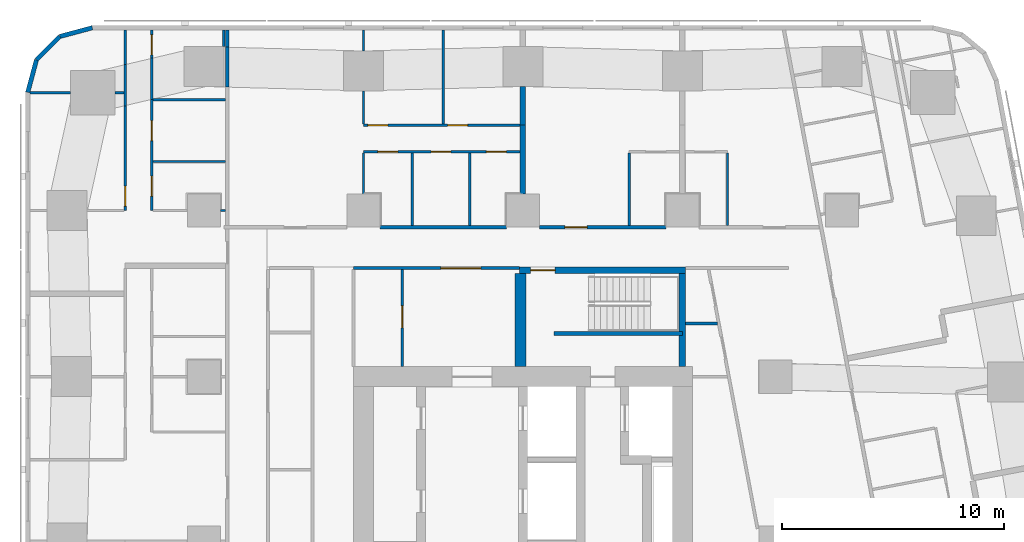
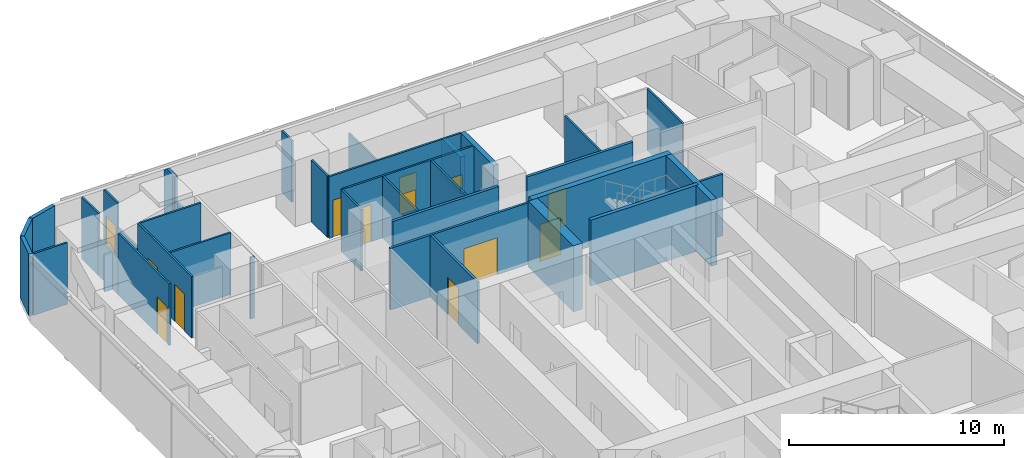
# One storey, part 9 of 15: 38 walls, 13 doors, 13 openings.
"""IFC4 building model written with IfcOpenShell, lengths in metres."""

from ifc_helpers import new_model, si_unit, direction, frame, frame_2d, origin, place, context, subcontext, project, spatial, rectangle, extrude, material, layer, layer_set, type_object, element, fill, save


model = new_model("IFC4")

# Units and contexts
model_context = context("Model", 3, precision=1e-05, world=origin(), true_north=direction((0.0, 1.0)))
body_context = subcontext(model_context, "Body", "Model", "MODEL_VIEW")
ifc_project = project(units=[si_unit("LENGTHUNIT", "METRE"), si_unit("AREAUNIT", "SQUARE_METRE"), si_unit("VOLUMEUNIT", "CUBIC_METRE"), si_unit("PLANEANGLEUNIT", "RADIAN"), si_unit("MASSUNIT", "GRAM", prefix="KILO")], contexts=[model_context])

# Site, building, storey
site_placement = place(None, origin())
site = spatial("IfcSite", under=ifc_project, at=site_placement, CompositionType="ELEMENT")
building_placement = place(site_placement, origin())
building = spatial("IfcBuilding", under=site, at=building_placement, Name="Sheger Commons Tower", CompositionType="ELEMENT")
storey_placement = place(building_placement, frame((0.0, 0.0, 173.300048828125)))
storey = spatial("IfcBuildingStorey", under=building, at=storey_placement, Name="L44", CompositionType="ELEMENT", Elevation=173.300048828125)

# Walls
ifc_material_1 = material(Name="Hollow concrete block masonry, skimmed both sides", Category="masonry")
ifc_layer_1 = layer(ifc_material_1, 0.14990234375)
ifc_layer_set_1 = layer_set([ifc_layer_1], Name="CORRIDOR WALL 150")
wall_type_1 = type_object("IfcWallType", Name="CORRIDOR WALL 150", PredefinedType="SOLIDWALL", material=ifc_layer_set_1)
wall_1_placement = place(storey_placement, frame((8.25, 43.068115234375, 0.0), z_axis=(0.0, 0.0, 1.0), x_axis=(0.0, 1.0, 0.0)))
element("IfcWall", 1, at=wall_1_placement, inside=storey, type_object=wall_type_1, Name="Corridor wall L44", PredefinedType="SOLIDWALL", context=body_context, shape_type="SweptSolid", body=[
    extrude(rectangle(XDim=1.804931640625, YDim=0.14990234375, at=frame_2d((0.90234375, 0.0))), origin(), (0.0, 0.0, 1.0), 2.099853515625),
])
wall_2_placement = place(storey_placement, frame((8.25, 44.873046875, 0.0), z_axis=(0.0, 0.0, 1.0), x_axis=(0.0, 1.0, 0.0)))
element("IfcWall", 2, at=wall_2_placement, inside=storey, type_object=wall_type_1, Name="Corridor wall L44", PredefinedType="SOLIDWALL", context=body_context, shape_type="SweptSolid", body=[
    extrude(rectangle(XDim=0.77685546875, YDim=0.14990234375, at=frame_2d((0.388427734375, 0.0))), origin(), (0.0, 0.0, 1.0), 3.5),
])
wall_3_placement = place(storey_placement, frame((15.15087890625, 36.75, 0.0), z_axis=(0.0, 0.0, 1.0), x_axis=(1.0, 0.0, 0.0)))
element("IfcWall", 3, at=wall_3_placement, inside=storey, type_object=wall_type_1, Name="Corridor wall L44", PredefinedType="SOLIDWALL", context=body_context, shape_type="SweptSolid", body=[
    extrude(rectangle(XDim=5.6982421875, YDim=0.14990234375, at=frame_2d((2.84912109375, 0.0))), origin(), (0.0, 0.0, 1.0), 3.5),
])

# Wall, opening, door
wall_4_placement = place(storey_placement, frame((22.35107421875, 36.75, 0.0), z_axis=(0.0, 0.0, 1.0), x_axis=(1.0, 0.0, 0.0)))
wall_4 = element("IfcWall", 4, at=wall_4_placement, inside=storey, type_object=wall_type_1, Name="Corridor wall L44", PredefinedType="SOLIDWALL", context=body_context, shape_type="SweptSolid", body=[
    extrude(rectangle(XDim=5.697998046875, YDim=0.14990234375, at=frame_2d((2.84912109375, 0.0))), origin(), (0.0, 0.0, 1.0), 3.5),
])
opening_1_placement = place(wall_4_placement, frame((1.14892578125, 0.0, 0.0)))
opening_1 = element("IfcOpeningElement", 5, at=opening_1_placement, cuts=wall_4, Name="Opening D1", PredefinedType="OPENING", context=body_context, shape_type="SweptSolid", body=[
    extrude(rectangle(XDim=1.0, YDim=2.10009765625, at=frame_2d((0.5, 1.050048828125))), frame((0.0, 0.0849609375, 0.0), z_axis=(0.0, -1.0, 0.0), x_axis=(1.0, 0.0, 0.0)), (0.0, 0.0, 1.0), 0.169921875),
])
ifc_material_2 = material(Name="Steel door set, fire rated", Category="steel")
door_type_1 = type_object("IfcDoorType", Name="FLAT ENTRANCE DOOR 1000x2100", OperationType="NOTDEFINED", PredefinedType="DOOR", material=ifc_material_2)
door_1_placement = place(opening_1_placement, origin())
door_1 = element("IfcDoor", 6, at=door_1_placement, inside=storey, type_object=door_type_1, Name="Flat entrance door", OperationType="SINGLE_SWING_LEFT", OverallHeight=2.10009765625, OverallWidth=1.0, PredefinedType="DOOR", context=body_context, shape_type="SweptSolid", body=[
    extrude(rectangle(XDim=1.0, YDim=2.10009765625, at=frame_2d((0.5, 1.050048828125))), frame((0.0, 0.02490234375, 0.0), z_axis=(0.0, -1.0, 0.0), x_axis=(1.0, 0.0, 0.0)), (0.0, 0.0, 1.0), 0.050048828125),
])
fill(opening_1, door_1)

# Walls
ifc_material_3 = material(Name="Dense concrete block masonry, plastered both sides (separating wall between flats)", Category="masonry")
ifc_layer_2 = layer(ifc_material_3, 0.25)
ifc_layer_set_2 = layer_set([ifc_layer_2], Name="DEMISING WALL 250")
wall_type_2 = type_object("IfcWallType", Name="DEMISING WALL 250", PredefinedType="SOLIDWALL", material=ifc_layer_set_2)
wall_5_placement = place(storey_placement, frame((21.60009765625, 41.35009765625, 0.0), z_axis=(0.0, 0.0, 1.0), x_axis=(0.0, 1.0, 0.0)))
element("IfcWall", 7, at=wall_5_placement, inside=storey, type_object=wall_type_2, Name="Demising wall L44", PredefinedType="SOLIDWALL", context=body_context, shape_type="SweptSolid", body=[
    extrude(rectangle(XDim=1.7490234375, YDim=0.25, at=frame_2d((0.87451171875, 0.0))), origin(), (0.0, 0.0, 1.0), 2.099853515625),
])
wall_6_placement = place(storey_placement, frame((21.60009765625, 38.2509765625, 0.0), z_axis=(0.0, 0.0, 1.0), x_axis=(0.0, 1.0, 0.0)))
element("IfcWall", 8, at=wall_6_placement, inside=storey, type_object=wall_type_2, Name="Demising wall L44", PredefinedType="SOLIDWALL", context=body_context, shape_type="SweptSolid", body=[
    extrude(rectangle(XDim=3.09912109375, YDim=0.25, at=frame_2d((1.549560546875, 0.0))), origin(), (0.0, 0.0, 1.0), 3.5),
])
ifc_material_4 = material(Name="Rendered concrete block masonry, dark grey", Category="masonry")
ifc_layer_3 = layer(ifc_material_4, 0.199951171875)
ifc_layer_set_3 = layer_set([ifc_layer_3], Name="FACADE WALL 200")
wall_type_3 = type_object("IfcWallType", Name="FACADE WALL 200", PredefinedType="SOLIDWALL", material=ifc_layer_set_3)
wall_7_placement = place(storey_placement, frame((2.1630859375, 45.75, 0.0), z_axis=(0.0, 0.0, 1.0), x_axis=(-0.965832000415, -0.259168954497, 0.0)))
element("IfcWall", 9, at=wall_7_placement, inside=storey, type_object=wall_type_3, Name="Facade wall L44", PredefinedType="SOLIDWALL", context=body_context, shape_type="SweptSolid", body=[
    extrude(rectangle(XDim=1.512939453125, YDim=0.199951171875, at=frame_2d((0.75634765625, 0.0))), origin(), (0.0, 0.0, 1.0), 3.5),
])
wall_8_placement = place(storey_placement, frame((0.701904296875, 45.35791015625, 0.0), z_axis=(0.0, 0.0, 1.0), x_axis=(-0.707106781187, -0.707106781187, 0.0)))
element("IfcWall", 10, at=wall_8_placement, inside=storey, type_object=wall_type_3, Name="Facade wall L44", PredefinedType="SOLIDWALL", context=body_context, shape_type="SweptSolid", body=[
    extrude(rectangle(XDim=1.498779296875, YDim=0.199951171875, at=frame_2d((0.74951171875, 0.0))), origin(), (0.0, 0.0, 1.0), 3.5),
])
wall_9_placement = place(storey_placement, frame((-0.35791015625, 44.298095703125, 0.0), z_axis=(0.0, 0.0, 1.0), x_axis=(-0.259168954497, -0.965832000415, 0.0)))
element("IfcWall", 11, at=wall_9_placement, inside=storey, type_object=wall_type_3, Name="Facade wall L44", PredefinedType="SOLIDWALL", context=body_context, shape_type="SweptSolid", body=[
    extrude(rectangle(XDim=1.512939453125, YDim=0.199951171875, at=frame_2d((0.75634765625, 0.0))), origin(), (0.0, 0.0, 1.0), 3.5),
])
ifc_material_5 = material(Name="Gypsum board on steel studs", Category="steel")
ifc_layer_4 = layer(ifc_material_5, 0.10009765625)
ifc_layer_set_4 = layer_set([ifc_layer_4], Name="PARTITION 100")
wall_type_4 = type_object("IfcWallType", Name="PARTITION 100", PredefinedType="PARTITIONING", material=ifc_layer_set_4)
wall_10_placement = place(storey_placement, frame((8.10009765625, 45.64990234375, 0.0), z_axis=(0.0, 0.0, 1.0), x_axis=(0.0, -1.0, 0.0)))
element("IfcWall", 12, at=wall_10_placement, inside=storey, type_object=wall_type_4, Name="Partition L44", PredefinedType="PARTITIONING", context=body_context, shape_type="SweptSolid", body=[
    extrude(rectangle(XDim=0.7490234375, YDim=0.10009765625, at=frame_2d((0.37451171875, 0.0))), origin(), (0.0, 0.0, 1.0), 3.5),
])

# Wall, opening, door
wall_11_placement = place(storey_placement, frame((3.64990234375, 37.5, 0.0), z_axis=(0.0, 0.0, 1.0), x_axis=(0.0, 1.0, 0.0)))
wall_11 = element("IfcWall", 13, at=wall_11_placement, inside=storey, type_object=wall_type_4, Name="Partition L44", PredefinedType="PARTITIONING", context=body_context, shape_type="SweptSolid", body=[
    extrude(rectangle(XDim=4.72412109375, YDim=0.10009765625, at=frame_2d((2.362060546875, 0.0))), origin(), (0.0, 0.0, 1.0), 3.5),
])
opening_2_placement = place(wall_11_placement, frame((0.199951171875, 0.0, 0.0)))
opening_2 = element("IfcOpeningElement", 14, at=opening_2_placement, cuts=wall_11, Name="Opening D2", PredefinedType="OPENING", context=body_context, shape_type="SweptSolid", body=[
    extrude(rectangle(XDim=0.89990234375, YDim=2.10009765625, at=frame_2d((0.449951171875, 1.050048828125))), frame((0.0, 0.06005859375, 0.0), z_axis=(0.0, -1.0, 0.0), x_axis=(1.0, 0.0, 0.0)), (0.0, 0.0, 1.0), 0.1201171875),
])
ifc_material_6 = material(Name="Timber door set", Category="wood")
door_type_2 = type_object("IfcDoorType", Name="INTERNAL DOOR 900x2100", OperationType="NOTDEFINED", PredefinedType="DOOR", material=ifc_material_6)
door_2_placement = place(opening_2_placement, origin())
door_2 = element("IfcDoor", 15, at=door_2_placement, inside=storey, type_object=door_type_2, Name="Main bedroom door", OperationType="SINGLE_SWING_LEFT", OverallHeight=2.10009765625, OverallWidth=0.89990234375, PredefinedType="DOOR", context=body_context, shape_type="SweptSolid", body=[
    extrude(rectangle(XDim=0.89990234375, YDim=2.10009765625, at=frame_2d((0.449951171875, 1.050048828125))), frame((0.0, 0.02490234375, 0.0), z_axis=(0.0, -1.0, 0.0), x_axis=(1.0, 0.0, 0.0)), (0.0, 0.0, 1.0), 0.050048828125),
])
fill(opening_2, door_2)

# Walls
wall_12_placement = place(storey_placement, frame((3.64990234375, 42.22412109375, 0.0), z_axis=(0.0, 0.0, 1.0), x_axis=(0.0, 1.0, 0.0)))
element("IfcWall", 16, at=wall_12_placement, inside=storey, type_object=wall_type_4, Name="Partition L44", PredefinedType="PARTITIONING", context=body_context, shape_type="SweptSolid", body=[
    extrude(rectangle(XDim=1.872802734375, YDim=0.10009765625, at=frame_2d((0.9365234375, 0.0))), origin(), (0.0, 0.0, 1.0), 2.099853515625),
])
wall_13_placement = place(storey_placement, frame((3.64990234375, 44.096923828125, 0.0), z_axis=(0.0, 0.0, 1.0), x_axis=(0.0, 1.0, 0.0)))
element("IfcWall", 17, at=wall_13_placement, inside=storey, type_object=wall_type_4, Name="Partition L44", PredefinedType="PARTITIONING", context=body_context, shape_type="SweptSolid", body=[
    extrude(rectangle(XDim=1.552978515625, YDim=0.10009765625, at=frame_2d((0.7763671875, 0.0))), origin(), (0.0, 0.0, 1.0), 3.5),
])

# Wall, openings, doors
wall_14_placement = place(storey_placement, frame((4.85009765625, 37.5, 0.0), z_axis=(0.0, 0.0, 1.0), x_axis=(0.0, 1.0, 0.0)))
wall_14 = element("IfcWall", 18, at=wall_14_placement, inside=storey, type_object=wall_type_4, Name="Partition L44", PredefinedType="PARTITIONING", context=body_context, shape_type="SweptSolid", body=[
    extrude(rectangle(XDim=5.007080078125, YDim=0.10009765625, at=frame_2d((2.50341796875, 0.0))), origin(), (0.0, 0.0, 1.0), 3.5),
])
opening_3_placement = place(wall_14_placement, frame((0.655029296875, 0.0, 0.0)))
opening_3 = element("IfcOpeningElement", 19, at=opening_3_placement, cuts=wall_14, Name="Opening D2", PredefinedType="OPENING", context=body_context, shape_type="SweptSolid", body=[
    extrude(rectangle(XDim=0.89990234375, YDim=2.10009765625, at=frame_2d((0.449951171875, 1.050048828125))), frame((0.0, 0.06005859375, 0.0), z_axis=(0.0, -1.0, 0.0), x_axis=(1.0, 0.0, 0.0)), (0.0, 0.0, 1.0), 0.1201171875),
])
opening_4_placement = place(wall_14_placement, frame((3.155029296875, 0.0, 0.0)))
opening_4 = element("IfcOpeningElement", 20, at=opening_4_placement, cuts=wall_14, Name="Opening D2", PredefinedType="OPENING", context=body_context, shape_type="SweptSolid", body=[
    extrude(rectangle(XDim=0.89990234375, YDim=2.10009765625, at=frame_2d((0.449951171875, 1.050048828125))), frame((0.0, 0.06005859375, 0.0), z_axis=(0.0, -1.0, 0.0), x_axis=(1.0, 0.0, 0.0)), (0.0, 0.0, 1.0), 0.1201171875),
])
door_3_placement = place(opening_3_placement, origin())
door_3 = element("IfcDoor", 21, at=door_3_placement, inside=storey, type_object=door_type_2, Name="Bathroom door", OperationType="SINGLE_SWING_RIGHT", OverallHeight=2.10009765625, OverallWidth=0.89990234375, PredefinedType="DOOR", context=body_context, shape_type="SweptSolid", body=[
    extrude(rectangle(XDim=0.89990234375, YDim=2.10009765625, at=frame_2d((0.449951171875, 1.050048828125))), frame((0.0, 0.02490234375, 0.0), z_axis=(0.0, -1.0, 0.0), x_axis=(1.0, 0.0, 0.0)), (0.0, 0.0, 1.0), 0.050048828125),
])
fill(opening_3, door_3)
door_4_placement = place(opening_4_placement, origin())
door_4 = element("IfcDoor", 22, at=door_4_placement, inside=storey, type_object=door_type_2, Name="Store door", OperationType="SINGLE_SWING_LEFT", OverallHeight=2.10009765625, OverallWidth=0.89990234375, PredefinedType="DOOR", context=body_context, shape_type="SweptSolid", body=[
    extrude(rectangle(XDim=0.89990234375, YDim=2.10009765625, at=frame_2d((0.449951171875, 1.050048828125))), frame((0.0, 0.02490234375, 0.0), z_axis=(0.0, -1.0, 0.0), x_axis=(1.0, 0.0, 0.0)), (0.0, 0.0, 1.0), 0.050048828125),
])
fill(opening_4, door_4)

# Wall
wall_15_placement = place(storey_placement, frame((4.85009765625, 42.507080078125, 0.0), z_axis=(0.0, 0.0, 1.0), x_axis=(0.0, 1.0, 0.0)))
element("IfcWall", 23, at=wall_15_placement, inside=storey, type_object=wall_type_4, Name="Partition L44", PredefinedType="PARTITIONING", context=body_context, shape_type="SweptSolid", body=[
    extrude(rectangle(XDim=1.8740234375, YDim=0.10009765625, at=frame_2d((0.93701171875, 0.0))), origin(), (0.0, 0.0, 1.0), 2.099853515625),
])

# Wall, opening, door
wall_16_placement = place(storey_placement, frame((4.85009765625, 44.381103515625, 0.0), z_axis=(0.0, 0.0, 1.0), x_axis=(0.0, 1.0, 0.0)))
wall_16 = element("IfcWall", 24, at=wall_16_placement, inside=storey, type_object=wall_type_4, Name="Partition L44", PredefinedType="PARTITIONING", context=body_context, shape_type="SweptSolid", body=[
    extrude(rectangle(XDim=1.268798828125, YDim=0.10009765625, at=frame_2d((0.63427734375, 0.0))), origin(), (0.0, 0.0, 1.0), 3.5),
])
opening_5_placement = place(wall_16_placement, frame((0.14990234375, 0.0, 0.0)))
opening_5 = element("IfcOpeningElement", 25, at=opening_5_placement, cuts=wall_16, Name="Opening D2", PredefinedType="OPENING", context=body_context, shape_type="SweptSolid", body=[
    extrude(rectangle(XDim=0.89990234375, YDim=2.10009765625, at=frame_2d((0.449951171875, 1.050048828125))), frame((0.0, 0.06005859375, 0.0), z_axis=(0.0, -1.0, 0.0), x_axis=(1.0, 0.0, 0.0)), (0.0, 0.0, 1.0), 0.1201171875),
])
door_5_placement = place(opening_5_placement, origin())
door_5 = element("IfcDoor", 26, at=door_5_placement, inside=storey, type_object=door_type_2, Name="Laundry room door", OperationType="SINGLE_SWING_RIGHT", OverallHeight=2.10009765625, OverallWidth=0.89990234375, PredefinedType="DOOR", context=body_context, shape_type="SweptSolid", body=[
    extrude(rectangle(XDim=0.89990234375, YDim=2.10009765625, at=frame_2d((0.449951171875, 1.050048828125))), frame((0.0, 0.02490234375, 0.0), z_axis=(0.0, -1.0, 0.0), x_axis=(1.0, 0.0, 0.0)), (0.0, 0.0, 1.0), 0.050048828125),
])
fill(opening_5, door_5)

# Walls
wall_17_placement = place(storey_placement, frame((-0.64990234375, 42.81396484375, 0.0), z_axis=(0.0, 0.0, 1.0), x_axis=(1.0, 0.0, 0.0)))
element("IfcWall", 27, at=wall_17_placement, inside=storey, type_object=wall_type_4, Name="Partition L44", PredefinedType="PARTITIONING", context=body_context, shape_type="SweptSolid", body=[
    extrude(rectangle(XDim=1.8349609375, YDim=0.10009765625, at=frame_2d((0.91748046875, 0.0))), origin(), (0.0, 0.0, 1.0), 3.5),
])
wall_18_placement = place(storey_placement, frame((3.18701171875, 42.81396484375, 0.0), z_axis=(0.0, 0.0, 1.0), x_axis=(1.0, 0.0, 0.0)))
element("IfcWall", 28, at=wall_18_placement, inside=storey, type_object=wall_type_4, Name="Partition L44", PredefinedType="PARTITIONING", context=body_context, shape_type="SweptSolid", body=[
    extrude(rectangle(XDim=0.4130859375, YDim=0.10009765625, at=frame_2d((0.20654296875, 0.0))), origin(), (0.0, 0.0, 1.0), 2.099853515625),
])
wall_19_placement = place(storey_placement, frame((7.950927734375, 37.5, 0.0), z_axis=(0.0, 0.0, 1.0), x_axis=(1.0, 0.0, 0.0)))
element("IfcWall", 29, at=wall_19_placement, inside=storey, type_object=wall_type_4, Name="Partition L44", PredefinedType="PARTITIONING", context=body_context, shape_type="SweptSolid", body=[
    extrude(rectangle(XDim=0.22412109375, YDim=0.10009765625, at=frame_2d((0.112060546875, 0.0))), origin(), (0.0, 0.0, 1.0), 3.5),
])
for number, where, z_axis, x_axis, name in (
    (30, (4.89990234375, 42.4990234375, 0.0), (0.0, 0.0, 1.0), (1.0, 0.0, 0.0), "Partition L44"),
    (31, (4.89990234375, 39.7099609375, 0.0), (0.0, 0.0, 1.0), (1.0, 0.0, 0.0), "Partition L44"),
):
    element("IfcWall", number, at=place(storey_placement, frame(where, z_axis=z_axis, x_axis=x_axis)), inside=storey, type_object=wall_type_4, Name=name, PredefinedType="PARTITIONING", context=body_context, shape_type="SweptSolid", body=[
        extrude(rectangle(XDim=3.275146484375, YDim=0.10009765625, at=frame_2d((1.6376953125, 0.0))), origin(), (0.0, 0.0, 1.0), 3.5),
    ])

# Wall, openings, doors
wall_20_placement = place(storey_placement, frame((14.39990234375, 41.35009765625, 0.0), z_axis=(0.0, 0.0, 1.0), x_axis=(1.0, 0.0, 0.0)))
wall_20 = element("IfcWall", 32, at=wall_20_placement, inside=storey, type_object=wall_type_4, Name="Partition L44", PredefinedType="PARTITIONING", context=body_context, shape_type="SweptSolid", body=[
    extrude(rectangle(XDim=7.0751953125, YDim=0.10009765625, at=frame_2d((3.53759765625, 0.0))), origin(), (0.0, 0.0, 1.0), 3.5),
])
opening_6_placement = place(wall_20_placement, frame((0.199951171875, 0.0, 0.0)))
opening_6 = element("IfcOpeningElement", 33, at=opening_6_placement, cuts=wall_20, Name="Opening D2", PredefinedType="OPENING", context=body_context, shape_type="SweptSolid", body=[
    extrude(rectangle(XDim=0.89990234375, YDim=2.10009765625, at=frame_2d((0.449951171875, 1.050048828125))), frame((0.0, 0.06005859375, 0.0), z_axis=(0.0, -1.0, 0.0), x_axis=(1.0, 0.0, 0.0)), (0.0, 0.0, 1.0), 0.1201171875),
])
opening_7_placement = place(wall_20_placement, frame((3.800048828125, 0.0, 0.0)))
opening_7 = element("IfcOpeningElement", 34, at=opening_7_placement, cuts=wall_20, Name="Opening D2", PredefinedType="OPENING", context=body_context, shape_type="SweptSolid", body=[
    extrude(rectangle(XDim=0.89990234375, YDim=2.10009765625, at=frame_2d((0.449951171875, 1.050048828125))), frame((0.0, 0.06005859375, 0.0), z_axis=(0.0, -1.0, 0.0), x_axis=(1.0, 0.0, 0.0)), (0.0, 0.0, 1.0), 0.1201171875),
])
door_6_placement = place(opening_6_placement, origin())
door_6 = element("IfcDoor", 35, at=door_6_placement, inside=storey, type_object=door_type_2, Name="Main bedroom door", OperationType="SINGLE_SWING_LEFT", OverallHeight=2.10009765625, OverallWidth=0.89990234375, PredefinedType="DOOR", context=body_context, shape_type="SweptSolid", body=[
    extrude(rectangle(XDim=0.89990234375, YDim=2.10009765625, at=frame_2d((0.449951171875, 1.050048828125))), frame((0.0, 0.02490234375, 0.0), z_axis=(0.0, -1.0, 0.0), x_axis=(1.0, 0.0, 0.0)), (0.0, 0.0, 1.0), 0.050048828125),
])
fill(opening_6, door_6)
door_7_placement = place(opening_7_placement, origin())
door_7 = element("IfcDoor", 36, at=door_7_placement, inside=storey, type_object=door_type_2, Name="Bedroom 2 door", OperationType="SINGLE_SWING_LEFT", OverallHeight=2.10009765625, OverallWidth=0.89990234375, PredefinedType="DOOR", context=body_context, shape_type="SweptSolid", body=[
    extrude(rectangle(XDim=0.89990234375, YDim=2.10009765625, at=frame_2d((0.449951171875, 1.050048828125))), frame((0.0, 0.02490234375, 0.0), z_axis=(0.0, -1.0, 0.0), x_axis=(1.0, 0.0, 0.0)), (0.0, 0.0, 1.0), 0.050048828125),
])
fill(opening_7, door_7)

wall_21_placement = place(storey_placement, frame((14.39990234375, 40.14990234375, 0.0), z_axis=(0.0, 0.0, 1.0), x_axis=(1.0, 0.0, 0.0)))
wall_21 = element("IfcWall", 37, at=wall_21_placement, inside=storey, type_object=wall_type_4, Name="Partition L44", PredefinedType="PARTITIONING", context=body_context, shape_type="SweptSolid", body=[
    extrude(rectangle(XDim=7.0751953125, YDim=0.10009765625, at=frame_2d((3.53759765625, 0.0))), origin(), (0.0, 0.0, 1.0), 3.5),
])
opening_8_placement = place(wall_21_placement, frame((0.655029296875, 0.0, 0.0)))
opening_8 = element("IfcOpeningElement", 38, at=opening_8_placement, cuts=wall_21, Name="Opening D2", PredefinedType="OPENING", context=body_context, shape_type="SweptSolid", body=[
    extrude(rectangle(XDim=0.89990234375, YDim=2.10009765625, at=frame_2d((0.449951171875, 1.050048828125))), frame((0.0, 0.06005859375, 0.0), z_axis=(0.0, -1.0, 0.0), x_axis=(1.0, 0.0, 0.0)), (0.0, 0.0, 1.0), 0.1201171875),
])
opening_9_placement = place(wall_21_placement, frame((5.550048828125, 0.0, 0.0)))
opening_9 = element("IfcOpeningElement", 39, at=opening_9_placement, cuts=wall_21, Name="Opening D2", PredefinedType="OPENING", context=body_context, shape_type="SweptSolid", body=[
    extrude(rectangle(XDim=0.89990234375, YDim=2.10009765625, at=frame_2d((0.449951171875, 1.050048828125))), frame((0.0, 0.06005859375, 0.0), z_axis=(0.0, -1.0, 0.0), x_axis=(1.0, 0.0, 0.0)), (0.0, 0.0, 1.0), 0.1201171875),
])
opening_10_placement = place(wall_21_placement, frame((3.053955078125, 0.0, 0.0)))
opening_10 = element("IfcOpeningElement", 40, at=opening_10_placement, cuts=wall_21, Name="Opening D2", PredefinedType="OPENING", context=body_context, shape_type="SweptSolid", body=[
    extrude(rectangle(XDim=0.89990234375, YDim=2.10009765625, at=frame_2d((0.449951171875, 1.050048828125))), frame((0.0, 0.06005859375, 0.0), z_axis=(0.0, -1.0, 0.0), x_axis=(1.0, 0.0, 0.0)), (0.0, 0.0, 1.0), 0.1201171875),
])
door_8_placement = place(opening_8_placement, origin())
door_8 = element("IfcDoor", 41, at=door_8_placement, inside=storey, type_object=door_type_2, Name="Bathroom door", OperationType="SINGLE_SWING_RIGHT", OverallHeight=2.10009765625, OverallWidth=0.89990234375, PredefinedType="DOOR", context=body_context, shape_type="SweptSolid", body=[
    extrude(rectangle(XDim=0.89990234375, YDim=2.10009765625, at=frame_2d((0.449951171875, 1.050048828125))), frame((0.0, 0.02490234375, 0.0), z_axis=(0.0, -1.0, 0.0), x_axis=(1.0, 0.0, 0.0)), (0.0, 0.0, 1.0), 0.050048828125),
])
fill(opening_8, door_8)
door_9_placement = place(opening_9_placement, origin())
door_9 = element("IfcDoor", 42, at=door_9_placement, inside=storey, type_object=door_type_2, Name="Laundry room door", OperationType="SINGLE_SWING_LEFT", OverallHeight=2.10009765625, OverallWidth=0.89990234375, PredefinedType="DOOR", context=body_context, shape_type="SweptSolid", body=[
    extrude(rectangle(XDim=0.89990234375, YDim=2.10009765625, at=frame_2d((0.449951171875, 1.050048828125))), frame((0.0, 0.02490234375, 0.0), z_axis=(0.0, -1.0, 0.0), x_axis=(1.0, 0.0, 0.0)), (0.0, 0.0, 1.0), 0.050048828125),
])
fill(opening_9, door_9)
door_10_placement = place(opening_10_placement, origin())
door_10 = element("IfcDoor", 43, at=door_10_placement, inside=storey, type_object=door_type_2, Name="Store door", OperationType="SINGLE_SWING_LEFT", OverallHeight=2.10009765625, OverallWidth=0.89990234375, PredefinedType="DOOR", context=body_context, shape_type="SweptSolid", body=[
    extrude(rectangle(XDim=0.89990234375, YDim=2.10009765625, at=frame_2d((0.449951171875, 1.050048828125))), frame((0.0, 0.02490234375, 0.0), z_axis=(0.0, -1.0, 0.0), x_axis=(1.0, 0.0, 0.0)), (0.0, 0.0, 1.0), 0.050048828125),
])
fill(opening_10, door_10)

# Walls
wall_22_placement = place(storey_placement, frame((14.39990234375, 41.39990234375, 0.0), z_axis=(0.0, 0.0, 1.0), x_axis=(0.0, 1.0, 0.0)))
element("IfcWall", 44, at=wall_22_placement, inside=storey, type_object=wall_type_4, Name="Partition L44", PredefinedType="PARTITIONING", context=body_context, shape_type="SweptSolid", body=[
    extrude(rectangle(XDim=1.4990234375, YDim=0.10009765625, at=frame_2d((0.74951171875, 0.0))), origin(), (0.0, 0.0, 1.0), 3.5),
])
wall_23_placement = place(storey_placement, frame((14.39990234375, 44.700927734375, 0.0), z_axis=(0.0, 0.0, 1.0), x_axis=(0.0, 1.0, 0.0)))
element("IfcWall", 45, at=wall_23_placement, inside=storey, type_object=wall_type_4, Name="Partition L44", PredefinedType="PARTITIONING", context=body_context, shape_type="SweptSolid", body=[
    extrude(rectangle(XDim=0.948974609375, YDim=0.10009765625, at=frame_2d((0.474609375, 0.0))), origin(), (0.0, 0.0, 1.0), 3.5),
])
wall_24_placement = place(storey_placement, frame((18.0, 41.39990234375, 0.0), z_axis=(0.0, 0.0, 1.0), x_axis=(0.0, 1.0, 0.0)))
element("IfcWall", 46, at=wall_24_placement, inside=storey, type_object=wall_type_4, Name="Partition L44", PredefinedType="PARTITIONING", context=body_context, shape_type="SweptSolid", body=[
    extrude(rectangle(XDim=4.25, YDim=0.10009765625, at=frame_2d((2.125, 0.0))), origin(), (0.0, 0.0, 1.0), 2.099853515625),
])
wall_25_placement = place(storey_placement, frame((14.39990234375, 38.2509765625, 0.0), z_axis=(0.0, 0.0, 1.0), x_axis=(0.0, 1.0, 0.0)))
element("IfcWall", 47, at=wall_25_placement, inside=storey, type_object=wall_type_4, Name="Partition L44", PredefinedType="PARTITIONING", context=body_context, shape_type="SweptSolid", body=[
    extrude(rectangle(XDim=1.84912109375, YDim=0.10009765625, at=frame_2d((0.924560546875, 0.0))), origin(), (0.0, 0.0, 1.0), 3.5),
])
for number, where, z_axis, x_axis, name in (
    (48, (19.198974609375, 36.824951171875, 0.0), (0.0, 0.0, 1.0), (0.0, 1.0, 0.0), "Partition L44"),
    (49, (16.610107421875, 36.824951171875, 0.0), (0.0, 0.0, 1.0), (0.0, 1.0, 0.0), "Partition L44"),
    (50, (26.39892578125, 36.824951171875, 0.0), (0.0, 0.0, 1.0), (0.0, 1.0, 0.0), "Partition L44"),
    (51, (30.8291015625, 36.824951171875, 0.0), (0.0, 0.0, 1.0), (0.0, 1.0, 0.0), "Partition L44"),
):
    element("IfcWall", number, at=place(storey_placement, frame(where, z_axis=z_axis, x_axis=x_axis)), inside=storey, type_object=wall_type_4, Name=name, PredefinedType="PARTITIONING", context=body_context, shape_type="SweptSolid", body=[
        extrude(rectangle(XDim=3.275146484375, YDim=0.10009765625, at=frame_2d((1.6376953125, 0.0))), origin(), (0.0, 0.0, 1.0), 3.5),
    ])

# Wall, opening, door
ifc_material_7 = material(Name="Gypsum board on steel studs, two layers each side, fire rated", Category="steel")
ifc_layer_5 = layer(ifc_material_7, 0.125)
ifc_layer_set_5 = layer_set([ifc_layer_5], Name="SERVICE WALL 125")
wall_type_5 = type_object("IfcWallType", Name="SERVICE WALL 125", PredefinedType="PARTITIONING", material=ifc_layer_set_5)
wall_26_placement = place(storey_placement, frame((13.949951171875, 34.89990234375, 0.0), z_axis=(0.0, 0.0, 1.0), x_axis=(1.0, 0.0, 0.0)))
wall_26 = element("IfcWall", 52, at=wall_26_placement, inside=storey, type_object=wall_type_5, Name="Service room wall L44", PredefinedType="PARTITIONING", context=body_context, shape_type="SweptSolid", body=[
    extrude(rectangle(XDim=7.5, YDim=0.125, at=frame_2d((3.75, 0.0))), origin(), (0.0, 0.0, 1.0), 3.5),
])
opening_11_placement = place(wall_26_placement, frame((3.949951171875, 0.0, 0.0)))
opening_11 = element("IfcOpeningElement", 53, at=opening_11_placement, cuts=wall_26, Name="Opening D6", PredefinedType="OPENING", context=body_context, shape_type="SweptSolid", body=[
    extrude(rectangle(XDim=1.800048828125, YDim=2.10009765625, at=frame_2d((0.89990234375, 1.050048828125))), frame((0.0, 0.072509765625, 0.0), z_axis=(0.0, -1.0, 0.0), x_axis=(1.0, 0.0, 0.0)), (0.0, 0.0, 1.0), 0.14501953125),
])
ifc_material_8 = material(Name="Steel door set, fire rated", Category="steel")
door_type_3 = type_object("IfcDoorType", Name="LOBBY DOUBLE DOOR 1800x2100", OperationType="DOUBLE_DOOR_SINGLE_SWING", PredefinedType="DOOR", material=ifc_material_8)
door_11_placement = place(opening_11_placement, origin())
door_11 = element("IfcDoor", 54, at=door_11_placement, inside=storey, type_object=door_type_3, Name="Lift lobby north door", OperationType="DOUBLE_DOOR_SINGLE_SWING", OverallHeight=2.10009765625, OverallWidth=1.800048828125, PredefinedType="DOOR", context=body_context, shape_type="SweptSolid", body=[
    extrude(rectangle(XDim=1.800048828125, YDim=2.10009765625, at=frame_2d((0.89990234375, 1.050048828125))), frame((0.0, 0.02490234375, 0.0), z_axis=(0.0, -1.0, 0.0), x_axis=(1.0, 0.0, 0.0)), (0.0, 0.0, 1.0), 0.050048828125),
])
fill(opening_11, door_11)

wall_27_placement = place(storey_placement, frame((16.14990234375, 30.449951171875, 0.0), z_axis=(0.0, 0.0, 1.0), x_axis=(0.0, 1.0, 0.0)))
wall_27 = element("IfcWall", 55, at=wall_27_placement, inside=storey, type_object=wall_type_5, Name="Service room wall L44", PredefinedType="PARTITIONING", context=body_context, shape_type="SweptSolid", body=[
    extrude(rectangle(XDim=4.386962890625, YDim=0.125, at=frame_2d((2.193359375, 0.0))), origin(), (0.0, 0.0, 1.0), 3.5),
])
opening_12_placement = place(wall_27_placement, frame((1.75, 0.0, 0.0)))
opening_12 = element("IfcOpeningElement", 56, at=opening_12_placement, cuts=wall_27, Name="Opening D4", PredefinedType="OPENING", context=body_context, shape_type="SweptSolid", body=[
    extrude(rectangle(XDim=1.0, YDim=2.10009765625, at=frame_2d((0.5, 1.050048828125))), frame((0.0, 0.072509765625, 0.0), z_axis=(0.0, -1.0, 0.0), x_axis=(1.0, 0.0, 0.0)), (0.0, 0.0, 1.0), 0.14501953125),
])
ifc_material_9 = material(Name="Steel door set, fire rated", Category="steel")
door_type_4 = type_object("IfcDoorType", Name="SERVICE DOOR 1000x2100", OperationType="NOTDEFINED", PredefinedType="DOOR", material=ifc_material_9)
door_12_placement = place(opening_12_placement, origin())
door_12 = element("IfcDoor", 57, at=door_12_placement, inside=storey, type_object=door_type_4, Name="Telecom room door", OperationType="SINGLE_SWING_RIGHT", OverallHeight=2.10009765625, OverallWidth=1.0, PredefinedType="DOOR", context=body_context, shape_type="SweptSolid", body=[
    extrude(rectangle(XDim=1.0, YDim=2.10009765625, at=frame_2d((0.5, 1.050048828125))), frame((0.0, 0.02490234375, 0.0), z_axis=(0.0, -1.0, 0.0), x_axis=(1.0, 0.0, 0.0)), (0.0, 0.0, 1.0), 0.050048828125),
])
fill(opening_12, door_12)

# Wall
wall_28_placement = place(storey_placement, frame((28.949951171875, 32.39990234375, 0.0), z_axis=(0.0, 0.0, 1.0), x_axis=(1.0, 0.0, 0.0)))
element("IfcWall", 58, at=wall_28_placement, inside=storey, type_object=wall_type_5, Name="Service room wall L44", PredefinedType="PARTITIONING", context=body_context, shape_type="SweptSolid", body=[
    extrude(rectangle(XDim=1.426025390625, YDim=0.125, at=frame_2d((0.712890625, 0.0))), origin(), (0.0, 0.0, 1.0), 3.5),
])

# Wall, opening, door
ifc_material_10 = material(Name="Concrete C50/60", Category="concrete")
ifc_layer_6 = layer(ifc_material_10, 0.300048828125)
ifc_layer_set_6 = layer_set([ifc_layer_6], Name="STAIR CORE WALL 300")
wall_type_6 = type_object("IfcWallType", Name="STAIR CORE WALL 300", PredefinedType="SHEAR", material=ifc_layer_set_6)
wall_29_placement = place(storey_placement, frame((21.449951171875, 34.800048828125, 0.0), z_axis=(0.0, 0.0, 1.0), x_axis=(1.0, 0.0, 0.0)))
wall_29 = element("IfcWall", 59, at=wall_29_placement, inside=storey, type_object=wall_type_6, Name="STW-L44-S2N", PredefinedType="SHEAR", context=body_context, shape_type="SweptSolid", body=[
    extrude(rectangle(XDim=7.5, YDim=0.300048828125, at=frame_2d((3.75, 0.0))), origin(), (0.0, 0.0, 1.0), 3.75),
])
opening_13_placement = place(wall_29_placement, frame((0.5, 0.0, 0.0)))
opening_13 = element("IfcOpeningElement", 60, at=opening_13_placement, cuts=wall_29, Name="Opening D5", PredefinedType="OPENING", context=body_context, shape_type="SweptSolid", body=[
    extrude(rectangle(XDim=1.10009765625, YDim=2.10009765625, at=frame_2d((0.550048828125, 1.050048828125))), frame((0.0, 0.159912109375, 0.0), z_axis=(0.0, -1.0, 0.0), x_axis=(1.0, 0.0, 0.0)), (0.0, 0.0, 1.0), 0.320068359375),
])
ifc_material_11 = material(Name="Steel door set, fire rated", Category="steel")
door_type_5 = type_object("IfcDoorType", Name="STAIR DOOR 1100x2100", OperationType="NOTDEFINED", PredefinedType="DOOR", material=ifc_material_11)
door_13_placement = place(opening_13_placement, origin())
door_13 = element("IfcDoor", 61, at=door_13_placement, inside=storey, type_object=door_type_5, Name="Stair S2 door", OperationType="SINGLE_SWING_RIGHT", OverallHeight=2.10009765625, OverallWidth=1.10009765625, PredefinedType="DOOR", context=body_context, shape_type="SweptSolid", body=[
    extrude(rectangle(XDim=1.10009765625, YDim=2.10009765625, at=frame_2d((0.550048828125, 1.050048828125))), frame((0.0, 0.02490234375, 0.0), z_axis=(0.0, -1.0, 0.0), x_axis=(1.0, 0.0, 0.0)), (0.0, 0.0, 1.0), 0.050048828125),
])
fill(opening_13, door_13)

# Walls
wall_30_placement = place(storey_placement, frame((28.800048828125, 30.449951171875, 0.0), z_axis=(0.0, 0.0, 1.0), x_axis=(0.0, 1.0, 0.0)))
element("IfcWall", 62, at=wall_30_placement, inside=storey, type_object=wall_type_6, Name="STW-L44-S2E", PredefinedType="SHEAR", context=body_context, shape_type="SweptSolid", body=[
    extrude(rectangle(XDim=4.199951171875, YDim=0.300048828125, at=frame_2d((2.10009765625, 0.0))), origin(), (0.0, 0.0, 1.0), 3.75),
])
ifc_material_12 = material(Name="Concrete C50/60", Category="concrete")
ifc_layer_7 = layer(ifc_material_12, 0.5)
ifc_layer_set_7 = layer_set([ifc_layer_7], Name="STAIR CORE WALL 500")
wall_type_7 = type_object("IfcWallType", Name="STAIR CORE WALL 500", PredefinedType="SHEAR", material=ifc_layer_set_7)
wall_31_placement = place(storey_placement, frame((21.5, 30.449951171875, 0.0), z_axis=(0.0, 0.0, 1.0), x_axis=(0.0, 1.0, 0.0)))
element("IfcWall", 63, at=wall_31_placement, inside=storey, type_object=wall_type_7, Name="STW-L44-S2W", PredefinedType="SHEAR", context=body_context, shape_type="SweptSolid", body=[
    extrude(rectangle(XDim=4.199951171875, YDim=0.5, at=frame_2d((2.10009765625, 0.0))), origin(), (0.0, 0.0, 1.0), 3.75),
])
ifc_material_13 = material(Name="Concrete C50/60", Category="concrete")
ifc_layer_8 = layer(ifc_material_13, 0.199951171875)
ifc_layer_set_8 = layer_set([ifc_layer_8], Name="STAIR SPINE WALL 200")
wall_type_8 = type_object("IfcWallType", Name="STAIR SPINE WALL 200", PredefinedType="SHEAR", material=ifc_layer_set_8)
wall_32_placement = place(storey_placement, frame((23.0, 31.949951171875, 0.0), z_axis=(0.0, 0.0, 1.0), x_axis=(1.0, 0.0, 0.0)))
element("IfcWall", 64, at=wall_32_placement, inside=storey, type_object=wall_type_8, Name="Stair spine wall L44", PredefinedType="SHEAR", context=body_context, shape_type="SweptSolid", body=[
    extrude(rectangle(XDim=5.800048828125, YDim=0.199951171875, at=frame_2d((2.89990234375, 0.0))), origin(), (0.0, 0.0, 1.0), 3.75),
])

save(model, "model.ifc")
